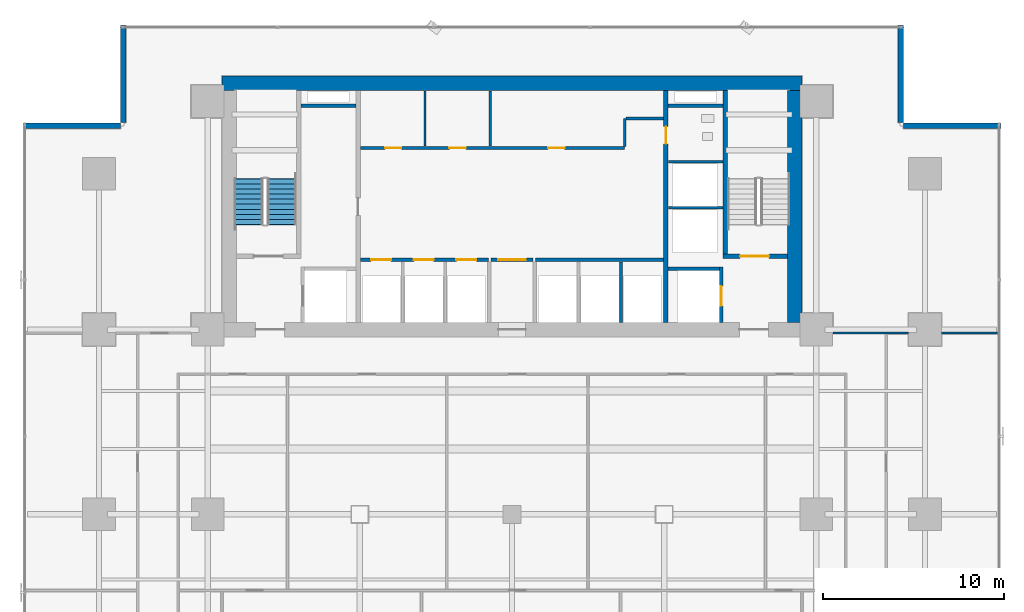
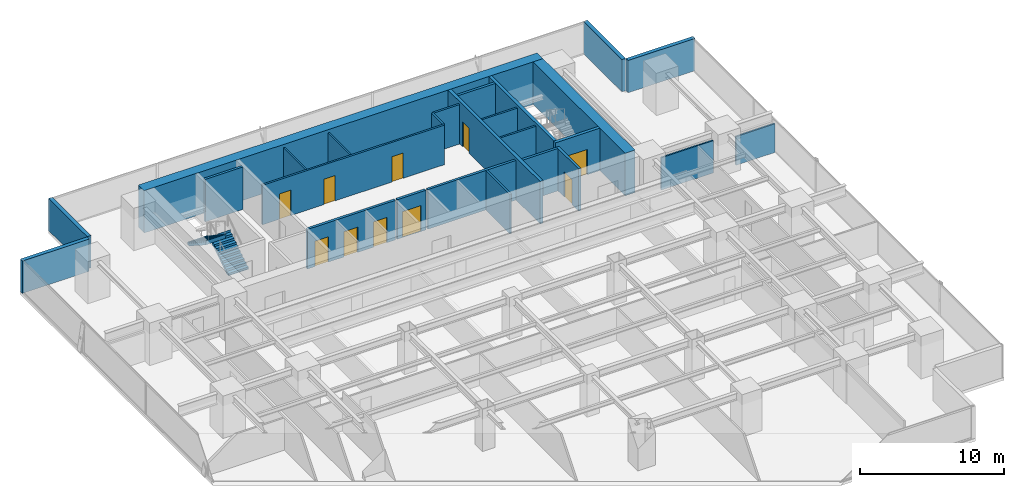
# One storey, part 26 of 33: 26 walls, 10 doors, 2 stair flights, 10 openings, 1 element without a shape of its own.
"""IFC4 building model written with IfcOpenShell, lengths in metres."""

from ifc_helpers import new_model, si_unit, direction, frame, frame_2d, origin, place, context, subcontext, project, spatial, polyline, rectangle, outline, extrude, source, transform, mapped, material, layer, layer_set, type_object, element, fill, aggregate, save


model = new_model("IFC4")

# Units and contexts
model_context = context("Model", 3, precision=1e-05, world=origin(), true_north=direction((0.0, 1.0)))
body_context = subcontext(model_context, "Body", "Model", "MODEL_VIEW")
ifc_project = project(units=[si_unit("LENGTHUNIT", "METRE"), si_unit("AREAUNIT", "SQUARE_METRE"), si_unit("VOLUMEUNIT", "CUBIC_METRE"), si_unit("PLANEANGLEUNIT", "RADIAN"), si_unit("MASSUNIT", "GRAM", prefix="KILO")], contexts=[model_context])

# Site, building, storey
site_placement = place(None, origin())
site = spatial("IfcSite", under=ifc_project, at=site_placement, CompositionType="ELEMENT")
building_placement = place(site_placement, origin())
building = spatial("IfcBuilding", under=site, at=building_placement, Name="Sumidabori Civic Tower", CompositionType="ELEMENT")
storey_placement = place(building_placement, frame((0.0, 0.0, 30.800048828125)))
storey = spatial("IfcBuildingStorey", under=building, at=storey_placement, Name="L07", CompositionType="ELEMENT", Elevation=30.800048828125)

# Walls
ifc_material_1 = material(Name="Concrete C60/75", Category="concrete")
ifc_layer_1 = layer(ifc_material_1, 0.800048828125, Name="Concrete C60/75")
ifc_layer_set_1 = layer_set([ifc_layer_1], Name="Concrete C60/75")
wall_type_1 = type_object("IfcWallType", Name="WL-CORE-800", PredefinedType="SHEAR", material=ifc_layer_set_1)
shared_shape_1 = source(origin(), body_context, "Body", "SweptSolid", [
    extrude(rectangle(XDim=32.0, YDim=0.800048828125, at=frame_2d((16.0, 0.0))), origin(), (0.0, 0.0, 1.0), 3.599853515625),
])
wall_1_placement = place(storey_placement, frame((-16.0, 23.800048828125, 0.0), z_axis=(0.0, 0.0, 1.0), x_axis=(1.0, 0.0, 0.0)))
element("IfcWall", 1, at=wall_1_placement, inside=storey, type_object=wall_type_1, Name="Core Shear Wall L07 N", PredefinedType="SHEAR", context=body_context, shape_type="MappedRepresentation", body=[
    mapped(shared_shape_1, transform((0.0, 0.0, 0.0), x_axis=(1.0, 0.0, 0.0), y_axis=(0.0, 1.0, 0.0), z_axis=(0.0, 0.0, 1.0), scale=1.0)),
])
shared_shape_2 = source(origin(), body_context, "Body", "SweptSolid", [
    extrude(rectangle(XDim=12.7998046875, YDim=0.800048828125, at=frame_2d((6.39990234375, 0.0))), origin(), (0.0, 0.0, 1.0), 3.599853515625),
])
wall_2_placement = place(storey_placement, frame((15.60009765625, 10.60009765625, 0.0), z_axis=(0.0, 0.0, 1.0), x_axis=(0.0, 1.0, 0.0)))
element("IfcWall", 2, at=wall_2_placement, inside=storey, type_object=wall_type_1, Name="Core Shear Wall L07 E", PredefinedType="SHEAR", context=body_context, shape_type="MappedRepresentation", body=[
    mapped(shared_shape_2, transform((0.0, 0.0, 0.0), x_axis=(1.0, 0.0, 0.0), y_axis=(0.0, 1.0, 0.0), z_axis=(0.0, 0.0, 1.0), scale=1.0)),
])

# Wall, opening, door
ifc_material_2 = material(Name="Concrete C50/60", Category="concrete")
ifc_layer_2 = layer(ifc_material_2, 0.25, Name="Concrete C50/60")
ifc_layer_set_2 = layer_set([ifc_layer_2], Name="Concrete C50/60")
wall_type_2 = type_object("IfcWallType", Name="WL-SHAFT-250", PredefinedType="SHEAR", material=ifc_layer_set_2)
shared_shape_3 = source(origin(), body_context, "Body", "SweptSolid", [
    extrude(rectangle(XDim=12.7998046875, YDim=0.25, at=frame_2d((6.39990234375, 0.0))), origin(), (0.0, 0.0, 1.0), 3.599853515625),
])
wall_3_placement = place(storey_placement, frame((8.5, 10.60009765625, 0.0), z_axis=(0.0, 0.0, 1.0), x_axis=(0.0, 1.0, 0.0)))
wall_3 = element("IfcWall", 3, at=wall_3_placement, inside=storey, type_object=wall_type_2, Name="Core Shear Wall L07 WEB-E", PredefinedType="SHEAR", context=body_context, shape_type="MappedRepresentation", body=[
    mapped(shared_shape_3, transform((0.0, 0.0, 0.0), x_axis=(1.0, 0.0, 0.0), y_axis=(0.0, 1.0, 0.0), z_axis=(0.0, 0.0, 1.0), scale=1.0)),
])
opening_1_placement = place(wall_3_placement, frame((9.85009765625, 0.0, 0.0)))
opening_1 = element("IfcOpeningElement", 4, at=opening_1_placement, cuts=wall_3, Name="Opening DR-2", PredefinedType="OPENING", context=body_context, shape_type="SweptSolid", body=[
    extrude(rectangle(XDim=0.949951171875, YDim=2.14990234375, at=frame_2d((0.47509765625, 1.074951171875))), frame((0.0, 0.136962890625, 0.0), z_axis=(0.0, -1.0, 0.0), x_axis=(1.0, 0.0, 0.0)), (0.0, 0.0, 1.0), 0.27392578125),
])
ifc_material_3 = material(Name="Japanese Hinoki Timber", Category="wood")
door_type_1 = type_object("IfcDoorType", Name="DR-INT-950", OperationType="NOTDEFINED", PredefinedType="DOOR", material=ifc_material_3)
shared_shape_4 = source(origin(), body_context, "Body", "SweptSolid", [
    extrude(rectangle(XDim=0.949951171875, YDim=2.14990234375, at=frame_2d((0.47509765625, 1.074951171875))), frame((0.0, 0.02490234375, 0.0), z_axis=(0.0, -1.0, 0.0), x_axis=(1.0, 0.0, 0.0)), (0.0, 0.0, 1.0), 0.050048828125),
])
door_1_placement = place(opening_1_placement, origin())
door_1 = element("IfcDoor", 5, at=door_1_placement, inside=storey, type_object=door_type_1, Name="Door DR:L07:WC-ACC", OperationType="SINGLE_SWING_RIGHT", OverallHeight=2.14990234375, OverallWidth=0.949951171875, PredefinedType="DOOR", context=body_context, shape_type="MappedRepresentation", body=[
    mapped(shared_shape_4, transform((0.0, 0.0, 0.0), x_axis=(1.0, 0.0, 0.0), y_axis=(0.0, 1.0, 0.0), z_axis=(0.0, 0.0, 1.0), scale=1.0)),
])
fill(opening_1, door_1)

shared_shape_5 = source(origin(), body_context, "Body", "SweptSolid", [
    extrude(rectangle(XDim=3.554931640625, YDim=0.25, at=frame_2d((1.77734375, 0.0))), origin(), (0.0, 0.0, 1.0), 3.599853515625),
])
wall_4_placement = place(storey_placement, frame((11.64501953125, 14.25, 0.0), z_axis=(0.0, 0.0, 1.0), x_axis=(1.0, 0.0, 0.0)))
wall_4 = element("IfcWall", 6, at=wall_4_placement, inside=storey, type_object=wall_type_2, Name="Core Shear Wall L07 ST2-S", PredefinedType="SHEAR", context=body_context, shape_type="MappedRepresentation", body=[
    mapped(shared_shape_5, transform((0.0, 0.0, 0.0), x_axis=(1.0, 0.0, 0.0), y_axis=(0.0, 1.0, 0.0), z_axis=(0.0, 0.0, 1.0), scale=1.0)),
])
opening_2_placement = place(wall_4_placement, frame((0.949951171875, 0.0, 0.0)))
opening_2 = element("IfcOpeningElement", 7, at=opening_2_placement, cuts=wall_4, Name="Opening DR-FD4", PredefinedType="OPENING", context=body_context, shape_type="SweptSolid", body=[
    extrude(rectangle(XDim=1.60009765625, YDim=2.14990234375, at=frame_2d((0.800048828125, 1.074951171875))), frame((0.0, 0.136962890625, 0.0), z_axis=(0.0, -1.0, 0.0), x_axis=(1.0, 0.0, 0.0)), (0.0, 0.0, 1.0), 0.27392578125),
])
ifc_material_4 = material(Name="Steel SN490", Category="steel")
door_type_2 = type_object("IfcDoorType", Name="DR-FD4", OperationType="DOUBLE_DOOR_SINGLE_SWING", PredefinedType="DOOR", material=ifc_material_4)
shared_shape_6 = source(origin(), body_context, "Body", "SweptSolid", [
    extrude(rectangle(XDim=1.60009765625, YDim=2.14990234375, at=frame_2d((0.800048828125, 1.074951171875))), frame((0.0, 0.02490234375, 0.0), z_axis=(0.0, -1.0, 0.0), x_axis=(1.0, 0.0, 0.0)), (0.0, 0.0, 1.0), 0.050048828125),
])
door_2_placement = place(opening_2_placement, origin())
door_2 = element("IfcDoor", 8, at=door_2_placement, inside=storey, type_object=door_type_2, Name="Door DR:L07:ST2", OperationType="DOUBLE_DOOR_SINGLE_SWING", OverallHeight=2.14990234375, OverallWidth=1.60009765625, PredefinedType="DOOR", context=body_context, shape_type="MappedRepresentation", body=[
    mapped(shared_shape_6, transform((0.0, 0.0, 0.0), x_axis=(1.0, 0.0, 0.0), y_axis=(0.0, 1.0, 0.0), z_axis=(0.0, 0.0, 1.0), scale=1.0)),
])
fill(opening_2, door_2)

# Wall
shared_shape_7 = source(origin(), body_context, "Body", "SweptSolid", [
    extrude(rectangle(XDim=9.02490234375, YDim=0.25, at=frame_2d((4.512451171875, 0.0))), origin(), (0.0, 0.0, 1.0), 3.599853515625),
])
wall_5_placement = place(storey_placement, frame((11.77001953125, 14.375, 0.0), z_axis=(0.0, 0.0, 1.0), x_axis=(0.0, 1.0, 0.0)))
element("IfcWall", 9, at=wall_5_placement, inside=storey, type_object=wall_type_2, Name="Core Shear Wall L07 ST2-W", PredefinedType="SHEAR", context=body_context, shape_type="MappedRepresentation", body=[
    mapped(shared_shape_7, transform((0.0, 0.0, 0.0), x_axis=(1.0, 0.0, 0.0), y_axis=(0.0, 1.0, 0.0), z_axis=(0.0, 0.0, 1.0), scale=1.0)),
])

# Wall, opening, door
ifc_layer_3 = layer(ifc_material_2, 0.199951171875, Name="Concrete C50/60")
ifc_layer_set_3 = layer_set([ifc_layer_3], Name="Concrete C50/60")
wall_type_3 = type_object("IfcWallType", Name="WL-SHAFT-200", PredefinedType="SHEAR", material=ifc_layer_set_3)
shared_shape_8 = source(origin(), body_context, "Body", "SweptSolid", [
    extrude(rectangle(XDim=3.0498046875, YDim=0.199951171875, at=frame_2d((1.52490234375, 0.0))), origin(), (0.0, 0.0, 1.0), 3.599853515625),
])
wall_6_placement = place(storey_placement, frame((11.550048828125, 10.60009765625, 0.0), z_axis=(0.0, 0.0, 1.0), x_axis=(0.0, 1.0, 0.0)))
wall_6 = element("IfcWall", 10, at=wall_6_placement, inside=storey, type_object=wall_type_3, Name="Core Shear Wall L07 EL2-E", PredefinedType="SHEAR", context=body_context, shape_type="MappedRepresentation", body=[
    mapped(shared_shape_8, transform((0.0, 0.0, 0.0), x_axis=(1.0, 0.0, 0.0), y_axis=(0.0, 1.0, 0.0), z_axis=(0.0, 0.0, 1.0), scale=1.0)),
])
opening_3_placement = place(wall_6_placement, frame((0.89990234375, 0.0, 0.0)))
opening_3 = element("IfcOpeningElement", 11, at=opening_3_placement, cuts=wall_6, Name="Opening LD-2", PredefinedType="OPENING", context=body_context, shape_type="SweptSolid", body=[
    extrude(rectangle(XDim=1.10009765625, YDim=2.14990234375, at=frame_2d((0.550048828125, 1.074951171875))), frame((0.0, 0.11181640625, 0.0), z_axis=(0.0, -1.0, 0.0), x_axis=(1.0, 0.0, 0.0)), (0.0, 0.0, 1.0), 0.223876953125),
])
ifc_material_5 = material(Name="Stainless Steel Hairline Finish", Category="steel")
door_type_3 = type_object("IfcDoorType", Name="DR-LD2", OperationType="DOUBLE_DOOR_SLIDING", PredefinedType="DOOR", material=ifc_material_5)
shared_shape_9 = source(origin(), body_context, "Body", "SweptSolid", [
    extrude(rectangle(XDim=1.10009765625, YDim=2.14990234375, at=frame_2d((0.550048828125, 1.074951171875))), frame((0.0, 0.02490234375, 0.0), z_axis=(0.0, -1.0, 0.0), x_axis=(1.0, 0.0, 0.0)), (0.0, 0.0, 1.0), 0.050048828125),
])
door_3_placement = place(opening_3_placement, origin())
door_3 = element("IfcDoor", 12, at=door_3_placement, inside=storey, type_object=door_type_3, Name="Door DR:L07:LD-EL2", OperationType="DOUBLE_DOOR_SLIDING", OverallHeight=2.14990234375, OverallWidth=1.10009765625, PredefinedType="DOOR", context=body_context, shape_type="MappedRepresentation", body=[
    mapped(shared_shape_9, transform((0.0, 0.0, 0.0), x_axis=(1.0, 0.0, 0.0), y_axis=(0.0, 1.0, 0.0), z_axis=(0.0, 0.0, 1.0), scale=1.0)),
])
fill(opening_3, door_3)

# Walls
shared_shape_10 = source(origin(), body_context, "Body", "SweptSolid", [
    extrude(rectangle(XDim=2.824951171875, YDim=0.199951171875, at=frame_2d((1.41259765625, 0.0))), origin(), (0.0, 0.0, 1.0), 3.599853515625),
])
wall_7_placement = place(storey_placement, frame((8.625, 13.550048828125, 0.0), z_axis=(0.0, 0.0, 1.0), x_axis=(1.0, 0.0, 0.0)))
element("IfcWall", 13, at=wall_7_placement, inside=storey, type_object=wall_type_3, Name="Core Shear Wall L07 EL2-N", PredefinedType="SHEAR", context=body_context, shape_type="MappedRepresentation", body=[
    mapped(shared_shape_10, transform((0.0, 0.0, 0.0), x_axis=(1.0, 0.0, 0.0), y_axis=(0.0, 1.0, 0.0), z_axis=(0.0, 0.0, 1.0), scale=1.0)),
])
shared_shape_11 = source(origin(), body_context, "Body", "SweptSolid", [
    extrude(rectangle(XDim=3.02001953125, YDim=0.199951171875, at=frame_2d((1.510009765625, 0.0))), origin(), (0.0, 0.0, 1.0), 3.599853515625),
])
for number, where, z_axis, x_axis, name in (
    (14, (-11.64501953125, 22.550048828125, 0.0), (0.0, 0.0, 1.0), (1.0, 0.0, 0.0), "Core Shear Wall L07 RIS1-S"),
    (15, (8.625, 22.550048828125, 0.0), (0.0, 0.0, 1.0), (1.0, 0.0, 0.0), "Core Shear Wall L07 RIS2-S"),
):
    element("IfcWall", number, at=place(storey_placement, frame(where, z_axis=z_axis, x_axis=x_axis)), inside=storey, type_object=wall_type_3, Name=name, PredefinedType="SHEAR", context=body_context, shape_type="MappedRepresentation", body=[
        mapped(shared_shape_11, transform((0.0, 0.0, 0.0), x_axis=(1.0, 0.0, 0.0), y_axis=(0.0, 1.0, 0.0), z_axis=(0.0, 0.0, 1.0), scale=1.0)),
    ])
ifc_material_6 = material(Name="Precast concrete C40/50", Category="concrete")
ifc_layer_4 = layer(ifc_material_6, 0.300048828125, Name="Precast concrete C40/50")
ifc_layer_set_4 = layer_set([ifc_layer_4], Name="Precast concrete C40/50")
wall_type_4 = type_object("IfcWallType", Name="WL-EXT-POD300", PredefinedType="STANDARD", material=ifc_layer_set_4)
shared_shape_12 = source(origin(), body_context, "Body", "SweptSolid", [
    extrude(rectangle(XDim=5.35986328125, YDim=0.300048828125, at=frame_2d((2.679931640625, 0.0))), origin(), (0.0, 0.0, 1.0), 2.739990234375),
])
for number, where, z_axis, x_axis, name in (
    (16, (26.97998046875, 21.449951171875, 0.0), (0.0, 0.0, 1.0), (-1.0, 0.0, 0.0), "Notched Corner Spandrel Band L07-05"),
    (17, (21.449951171875, 21.6201171875, 0.0), (0.0, 0.0, 1.0), (0.0, 1.0, 0.0), "Notched Corner Spandrel Band L07-06"),
    (18, (-21.449951171875, 26.97998046875, 0.0), (0.0, 0.0, 1.0), (0.0, -1.0, 0.0), "Notched Corner Spandrel Band L07-08"),
    (19, (-21.6201171875, 21.449951171875, 0.0), (0.0, 0.0, 1.0), (-1.0, 0.0, 0.0), "Notched Corner Spandrel Band L07-09"),
):
    element("IfcWall", number, at=place(storey_placement, frame(where, z_axis=z_axis, x_axis=x_axis)), inside=storey, type_object=wall_type_4, Name=name, PredefinedType="STANDARD", context=body_context, shape_type="MappedRepresentation", body=[
        mapped(shared_shape_12, transform((0.0, 0.0, 0.0), x_axis=(1.0, 0.0, 0.0), y_axis=(0.0, 1.0, 0.0), z_axis=(0.0, 0.0, 1.0), scale=1.0)),
    ])
ifc_material_7 = material(Name="Gypsum Plasterboard Acoustic Partition")
ifc_layer_5 = layer(ifc_material_7, 0.14990234375, Name="Gypsum Plasterboard Acoustic Partition")
ifc_layer_set_5 = layer_set([ifc_layer_5], Name="Gypsum Plasterboard Acoustic Partition")
wall_type_5 = type_object("IfcWallType", Name="WL-PART-150", PredefinedType="PARTITIONING", material=ifc_layer_set_5)
shared_shape_13 = source(origin(), body_context, "Body", "SweptSolid", [
    extrude(rectangle(XDim=3.010009765625, YDim=0.14990234375, at=frame_2d((1.5048828125, 0.0))), origin(), (0.0, 0.0, 1.0), 3.35986328125),
])
for number, where, z_axis, x_axis, name in (
    (20, (8.6298828125, 16.919921875, 0.0), (0.0, 0.0, 1.0), (1.0, 0.0, 0.0), "Interior Partition WL:L07:DIV-OBS1"),
    (21, (8.6298828125, 19.469970703125, 0.0), (0.0, 0.0, 1.0), (1.0, 0.0, 0.0), "Interior Partition WL:L07:DIV-OBS2"),
):
    element("IfcWall", number, at=place(storey_placement, frame(where, z_axis=z_axis, x_axis=x_axis)), inside=storey, type_object=wall_type_5, Name=name, PredefinedType="PARTITIONING", context=body_context, shape_type="MappedRepresentation", body=[
        mapped(shared_shape_13, transform((0.0, 0.0, 0.0), x_axis=(1.0, 0.0, 0.0), y_axis=(0.0, 1.0, 0.0), z_axis=(0.0, 0.0, 1.0), scale=1.0)),
    ])

# Wall, openings, doors
ifc_material_8 = material(Name="Gypsum Plasterboard Fire Partition")
ifc_layer_6 = layer(ifc_material_8, 0.199951171875, Name="Gypsum Plasterboard Fire Partition")
ifc_layer_set_6 = layer_set([ifc_layer_6], Name="Gypsum Plasterboard Fire Partition")
wall_type_6 = type_object("IfcWallType", Name="WL-PART-FIRE", PredefinedType="PARTITIONING", material=ifc_layer_set_6)
shared_shape_14 = source(origin(), body_context, "Body", "SweptSolid", [
    extrude(rectangle(XDim=7.070068359375, YDim=0.199951171875, at=frame_2d((3.53515625, 0.0))), origin(), (0.0, 0.0, 1.0), 3.35986328125),
])
wall_8_placement = place(storey_placement, frame((-8.3701171875, 14.050048828125, 0.0), z_axis=(0.0, 0.0, 1.0), x_axis=(1.0, 0.0, 0.0)))
wall_8 = element("IfcWall", 22, at=wall_8_placement, inside=storey, type_object=wall_type_6, Name="Interior Partition WL:L07:CBAND-SW", PredefinedType="PARTITIONING", context=body_context, shape_type="MappedRepresentation", body=[
    mapped(shared_shape_14, transform((0.0, 0.0, 0.0), x_axis=(1.0, 0.0, 0.0), y_axis=(0.0, 1.0, 0.0), z_axis=(0.0, 0.0, 1.0), scale=1.0)),
])
opening_4_placement = place(wall_8_placement, frame((0.60009765625, 0.0, 0.0)))
opening_4 = element("IfcOpeningElement", 23, at=opening_4_placement, cuts=wall_8, Name="Opening LD-1", PredefinedType="OPENING", context=body_context, shape_type="SweptSolid", body=[
    extrude(rectangle(XDim=1.10009765625, YDim=2.14990234375, at=frame_2d((0.550048828125, 1.074951171875))), frame((0.0, 0.11181640625, 0.0), z_axis=(0.0, -1.0, 0.0), x_axis=(1.0, 0.0, 0.0)), (0.0, 0.0, 1.0), 0.223876953125),
])
opening_5_placement = place(wall_8_placement, frame((2.949951171875, 0.0, 0.0)))
opening_5 = element("IfcOpeningElement", 24, at=opening_5_placement, cuts=wall_8, Name="Opening LD-1", PredefinedType="OPENING", context=body_context, shape_type="SweptSolid", body=[
    extrude(rectangle(XDim=1.10009765625, YDim=2.14990234375, at=frame_2d((0.550048828125, 1.074951171875))), frame((0.0, 0.11181640625, 0.0), z_axis=(0.0, -1.0, 0.0), x_axis=(1.0, 0.0, 0.0)), (0.0, 0.0, 1.0), 0.223876953125),
])
opening_6_placement = place(wall_8_placement, frame((5.300048828125, 0.0, 0.0)))
opening_6 = element("IfcOpeningElement", 25, at=opening_6_placement, cuts=wall_8, Name="Opening LD-1", PredefinedType="OPENING", context=body_context, shape_type="SweptSolid", body=[
    extrude(rectangle(XDim=1.10009765625, YDim=2.14990234375, at=frame_2d((0.550048828125, 1.074951171875))), frame((0.0, 0.11181640625, 0.0), z_axis=(0.0, -1.0, 0.0), x_axis=(1.0, 0.0, 0.0)), (0.0, 0.0, 1.0), 0.223876953125),
])
door_type_4 = type_object("IfcDoorType", Name="DR-LD1", OperationType="DOUBLE_DOOR_SLIDING", PredefinedType="DOOR", material=ifc_material_5)
door_4_placement = place(opening_4_placement, origin())
door_4 = element("IfcDoor", 26, at=door_4_placement, inside=storey, type_object=door_type_4, Name="Door DR:L07:LD-PLL1", OperationType="DOUBLE_DOOR_SLIDING", OverallHeight=2.14990234375, OverallWidth=1.10009765625, PredefinedType="DOOR", context=body_context, shape_type="MappedRepresentation", body=[
    mapped(shared_shape_9, transform((0.0, 0.0, 0.0), x_axis=(1.0, 0.0, 0.0), y_axis=(0.0, 1.0, 0.0), z_axis=(0.0, 0.0, 1.0), scale=1.0)),
])
fill(opening_4, door_4)
door_5_placement = place(opening_5_placement, origin())
door_5 = element("IfcDoor", 27, at=door_5_placement, inside=storey, type_object=door_type_4, Name="Door DR:L07:LD-PLL2", OperationType="DOUBLE_DOOR_SLIDING", OverallHeight=2.14990234375, OverallWidth=1.10009765625, PredefinedType="DOOR", context=body_context, shape_type="MappedRepresentation", body=[
    mapped(shared_shape_9, transform((0.0, 0.0, 0.0), x_axis=(1.0, 0.0, 0.0), y_axis=(0.0, 1.0, 0.0), z_axis=(0.0, 0.0, 1.0), scale=1.0)),
])
fill(opening_5, door_5)
door_6_placement = place(opening_6_placement, origin())
door_6 = element("IfcDoor", 28, at=door_6_placement, inside=storey, type_object=door_type_4, Name="Door DR:L07:LD-PLL3", OperationType="DOUBLE_DOOR_SLIDING", OverallHeight=2.14990234375, OverallWidth=1.10009765625, PredefinedType="DOOR", context=body_context, shape_type="MappedRepresentation", body=[
    mapped(shared_shape_9, transform((0.0, 0.0, 0.0), x_axis=(1.0, 0.0, 0.0), y_axis=(0.0, 1.0, 0.0), z_axis=(0.0, 0.0, 1.0), scale=1.0)),
])
fill(opening_6, door_6)

# Wall
wall_9_placement = place(storey_placement, frame((1.300048828125, 14.050048828125, 0.0), z_axis=(0.0, 0.0, 1.0), x_axis=(1.0, 0.0, 0.0)))
element("IfcWall", 29, at=wall_9_placement, inside=storey, type_object=wall_type_6, Name="Interior Partition WL:L07:CBAND-SE", PredefinedType="PARTITIONING", context=body_context, shape_type="MappedRepresentation", body=[
    mapped(shared_shape_14, transform((0.0, 0.0, 0.0), x_axis=(1.0, 0.0, 0.0), y_axis=(0.0, 1.0, 0.0), z_axis=(0.0, 0.0, 1.0), scale=1.0)),
])

# Wall, opening, door
shared_shape_15 = source(origin(), body_context, "Body", "SweptSolid", [
    extrude(rectangle(XDim=2.2998046875, YDim=0.199951171875, at=frame_2d((1.14990234375, 0.0))), origin(), (0.0, 0.0, 1.0), 3.35986328125),
])
wall_10_placement = place(storey_placement, frame((-1.14990234375, 14.050048828125, 0.0), z_axis=(0.0, 0.0, 1.0), x_axis=(1.0, 0.0, 0.0)))
wall_10 = element("IfcWall", 30, at=wall_10_placement, inside=storey, type_object=wall_type_6, Name="Interior Partition WL:L07:THROAT-N", PredefinedType="PARTITIONING", context=body_context, shape_type="MappedRepresentation", body=[
    mapped(shared_shape_15, transform((0.0, 0.0, 0.0), x_axis=(1.0, 0.0, 0.0), y_axis=(0.0, 1.0, 0.0), z_axis=(0.0, 0.0, 1.0), scale=1.0)),
])
opening_7_placement = place(wall_10_placement, frame((0.39990234375, 0.0, 0.0)))
opening_7 = element("IfcOpeningElement", 31, at=opening_7_placement, cuts=wall_10, Name="Opening DR-FD3", PredefinedType="OPENING", context=body_context, shape_type="SweptSolid", body=[
    extrude(rectangle(XDim=1.5, YDim=2.199951171875, at=frame_2d((0.75, 1.10009765625))), frame((0.0, 0.11181640625, 0.0), z_axis=(0.0, -1.0, 0.0), x_axis=(1.0, 0.0, 0.0)), (0.0, 0.0, 1.0), 0.223876953125),
])
door_type_5 = type_object("IfcDoorType", Name="DR-FD-DBL", OperationType="DOUBLE_DOOR_SINGLE_SWING", PredefinedType="DOOR", material=ifc_material_4)
shared_shape_16 = source(origin(), body_context, "Body", "SweptSolid", [
    extrude(rectangle(XDim=1.5, YDim=2.199951171875, at=frame_2d((0.75, 1.10009765625))), frame((0.0, 0.02490234375, 0.0), z_axis=(0.0, -1.0, 0.0), x_axis=(1.0, 0.0, 0.0)), (0.0, 0.0, 1.0), 0.050048828125),
])
door_7_placement = place(opening_7_placement, origin())
door_7 = element("IfcDoor", 32, at=door_7_placement, inside=storey, type_object=door_type_5, Name="Door DR:L07:THROAT-IN", OperationType="DOUBLE_DOOR_SINGLE_SWING", OverallHeight=2.199951171875, OverallWidth=1.5, PredefinedType="DOOR", context=body_context, shape_type="MappedRepresentation", body=[
    mapped(shared_shape_16, transform((0.0, 0.0, 0.0), x_axis=(1.0, 0.0, 0.0), y_axis=(0.0, 1.0, 0.0), z_axis=(0.0, 0.0, 1.0), scale=1.0)),
])
fill(opening_7, door_7)

# Wall, openings, doors
shared_shape_17 = source(origin(), body_context, "Body", "SweptSolid", [
    extrude(rectangle(XDim=14.590087890625, YDim=0.14990234375, at=frame_2d((7.294921875, 0.0))), origin(), (0.0, 0.0, 1.0), 3.35986328125),
])
wall_11_placement = place(storey_placement, frame((-8.3701171875, 20.219970703125, 0.0), z_axis=(0.0, 0.0, 1.0), x_axis=(1.0, 0.0, 0.0)))
wall_11 = element("IfcWall", 33, at=wall_11_placement, inside=storey, type_object=wall_type_5, Name="Interior Partition WL:L07:CBAND-M", PredefinedType="PARTITIONING", context=body_context, shape_type="MappedRepresentation", body=[
    mapped(shared_shape_17, transform((0.0, 0.0, 0.0), x_axis=(1.0, 0.0, 0.0), y_axis=(0.0, 1.0, 0.0), z_axis=(0.0, 0.0, 1.0), scale=1.0)),
])
opening_8_placement = place(wall_11_placement, frame((1.360107421875, 0.0, 0.0)))
opening_8 = element("IfcOpeningElement", 34, at=opening_8_placement, cuts=wall_11, Name="Opening DR-1", PredefinedType="OPENING", context=body_context, shape_type="SweptSolid", body=[
    extrude(rectangle(XDim=0.89990234375, YDim=2.14990234375, at=frame_2d((0.449951171875, 1.074951171875))), frame((0.0, 0.0869140625, 0.0), z_axis=(0.0, -1.0, 0.0), x_axis=(1.0, 0.0, 0.0)), (0.0, 0.0, 1.0), 0.173828125),
])
opening_9_placement = place(wall_11_placement, frame((4.919921875, 0.0, 0.0)))
opening_9 = element("IfcOpeningElement", 35, at=opening_9_placement, cuts=wall_11, Name="Opening DR-1", PredefinedType="OPENING", context=body_context, shape_type="SweptSolid", body=[
    extrude(rectangle(XDim=0.89990234375, YDim=2.14990234375, at=frame_2d((0.449951171875, 1.074951171875))), frame((0.0, 0.0869140625, 0.0), z_axis=(0.0, -1.0, 0.0), x_axis=(1.0, 0.0, 0.0)), (0.0, 0.0, 1.0), 0.173828125),
])
opening_10_placement = place(wall_11_placement, frame((10.3701171875, 0.0, 0.0)))
opening_10 = element("IfcOpeningElement", 36, at=opening_10_placement, cuts=wall_11, Name="Opening DR-1", PredefinedType="OPENING", context=body_context, shape_type="SweptSolid", body=[
    extrude(rectangle(XDim=0.89990234375, YDim=2.14990234375, at=frame_2d((0.449951171875, 1.074951171875))), frame((0.0, 0.0869140625, 0.0), z_axis=(0.0, -1.0, 0.0), x_axis=(1.0, 0.0, 0.0)), (0.0, 0.0, 1.0), 0.173828125),
])
door_type_6 = type_object("IfcDoorType", Name="DR-INT-900", OperationType="NOTDEFINED", PredefinedType="DOOR", material=ifc_material_3)
shared_shape_18 = source(origin(), body_context, "Body", "SweptSolid", [
    extrude(rectangle(XDim=0.89990234375, YDim=2.14990234375, at=frame_2d((0.449951171875, 1.074951171875))), frame((0.0, 0.02490234375, 0.0), z_axis=(0.0, -1.0, 0.0), x_axis=(1.0, 0.0, 0.0)), (0.0, 0.0, 1.0), 0.050048828125),
])
door_8_placement = place(opening_8_placement, origin())
door_8 = element("IfcDoor", 37, at=door_8_placement, inside=storey, type_object=door_type_6, Name="Door DR:L07:CB-1", OperationType="SINGLE_SWING_LEFT", OverallHeight=2.14990234375, OverallWidth=0.89990234375, PredefinedType="DOOR", context=body_context, shape_type="MappedRepresentation", body=[
    mapped(shared_shape_18, transform((0.0, 0.0, 0.0), x_axis=(1.0, 0.0, 0.0), y_axis=(0.0, 1.0, 0.0), z_axis=(0.0, 0.0, 1.0), scale=1.0)),
])
fill(opening_8, door_8)
door_9_placement = place(opening_9_placement, origin())
door_9 = element("IfcDoor", 38, at=door_9_placement, inside=storey, type_object=door_type_6, Name="Door DR:L07:CB-2", OperationType="SINGLE_SWING_RIGHT", OverallHeight=2.14990234375, OverallWidth=0.89990234375, PredefinedType="DOOR", context=body_context, shape_type="MappedRepresentation", body=[
    mapped(shared_shape_18, transform((0.0, 0.0, 0.0), x_axis=(1.0, 0.0, 0.0), y_axis=(0.0, 1.0, 0.0), z_axis=(0.0, 0.0, 1.0), scale=1.0)),
])
fill(opening_9, door_9)
door_10_placement = place(opening_10_placement, origin())
door_10 = element("IfcDoor", 39, at=door_10_placement, inside=storey, type_object=door_type_6, Name="Door DR:L07:CB-3", OperationType="SINGLE_SWING_LEFT", OverallHeight=2.14990234375, OverallWidth=0.89990234375, PredefinedType="DOOR", context=body_context, shape_type="MappedRepresentation", body=[
    mapped(shared_shape_18, transform((0.0, 0.0, 0.0), x_axis=(1.0, 0.0, 0.0), y_axis=(0.0, 1.0, 0.0), z_axis=(0.0, 0.0, 1.0), scale=1.0)),
])
fill(opening_10, door_10)

# Walls
shared_shape_19 = source(origin(), body_context, "Body", "SweptSolid", [
    extrude(rectangle(XDim=1.550048828125, YDim=0.14990234375, at=frame_2d((0.77490234375, 0.0))), origin(), (0.0, 0.0, 1.0), 3.35986328125),
])
wall_12_placement = place(storey_placement, frame((6.219970703125, 20.300048828125, 0.0), z_axis=(0.0, 0.0, 1.0), x_axis=(0.0, 1.0, 0.0)))
element("IfcWall", 40, at=wall_12_placement, inside=storey, type_object=wall_type_5, Name="Interior Partition WL:L07:CBAND-ME1", PredefinedType="PARTITIONING", context=body_context, shape_type="MappedRepresentation", body=[
    mapped(shared_shape_19, transform((0.0, 0.0, 0.0), x_axis=(1.0, 0.0, 0.0), y_axis=(0.0, 1.0, 0.0), z_axis=(0.0, 0.0, 1.0), scale=1.0)),
])
shared_shape_20 = source(origin(), body_context, "Body", "SweptSolid", [
    extrude(rectangle(XDim=2.070068359375, YDim=0.14990234375, at=frame_2d((1.03515625, 0.0))), origin(), (0.0, 0.0, 1.0), 3.35986328125),
])
wall_13_placement = place(storey_placement, frame((6.300048828125, 21.85009765625, 0.0), z_axis=(0.0, 0.0, 1.0), x_axis=(1.0, 0.0, 0.0)))
element("IfcWall", 41, at=wall_13_placement, inside=storey, type_object=wall_type_5, Name="Interior Partition WL:L07:CBAND-ME2", PredefinedType="PARTITIONING", context=body_context, shape_type="MappedRepresentation", body=[
    mapped(shared_shape_20, transform((0.0, 0.0, 0.0), x_axis=(1.0, 0.0, 0.0), y_axis=(0.0, 1.0, 0.0), z_axis=(0.0, 0.0, 1.0), scale=1.0)),
])
shared_shape_21 = source(origin(), body_context, "Body", "SweptSolid", [
    extrude(rectangle(XDim=3.33984375, YDim=0.14990234375, at=frame_2d((1.669921875, 0.0))), origin(), (0.0, 0.0, 1.0), 3.35986328125),
])
wall_14_placement = place(storey_placement, frame((6.02001953125, 10.60009765625, 0.0), z_axis=(0.0, 0.0, 1.0), x_axis=(0.0, 1.0, 0.0)))
element("IfcWall", 42, at=wall_14_placement, inside=storey, type_object=wall_type_5, Name="Interior Partition WL:L07:DIV-PLM2", PredefinedType="PARTITIONING", context=body_context, shape_type="MappedRepresentation", body=[
    mapped(shared_shape_21, transform((0.0, 0.0, 0.0), x_axis=(1.0, 0.0, 0.0), y_axis=(0.0, 1.0, 0.0), z_axis=(0.0, 0.0, 1.0), scale=1.0)),
])
ifc_layer_7 = layer(ifc_material_7, 0.1201171875, Name="Gypsum Plasterboard Acoustic Partition")
ifc_layer_set_7 = layer_set([ifc_layer_7], Name="Gypsum Plasterboard Acoustic Partition")
wall_type_7 = type_object("IfcWallType", Name="WL-PART-120", PredefinedType="PARTITIONING", material=ifc_layer_set_7)
shared_shape_22 = source(origin(), body_context, "Body", "SweptSolid", [
    extrude(rectangle(XDim=3.0400390625, YDim=0.1201171875, at=frame_2d((1.52001953125, 0.0))), origin(), (0.0, 0.0, 1.0), 3.35986328125),
])
for number, where, z_axis, x_axis, name in (
    (43, (-4.800048828125, 20.320068359375, 0.0), (0.0, 0.0, 1.0), (0.0, 1.0, 0.0), "Interior Partition WL:L07:LV8-S1"),
    (44, (-1.199951171875, 20.320068359375, 0.0), (0.0, 0.0, 1.0), (0.0, 1.0, 0.0), "Interior Partition WL:L07:LV8-S2"),
):
    element("IfcWall", number, at=place(storey_placement, frame(where, z_axis=z_axis, x_axis=x_axis)), inside=storey, type_object=wall_type_7, Name=name, PredefinedType="PARTITIONING", context=body_context, shape_type="MappedRepresentation", body=[
        mapped(shared_shape_22, transform((0.0, 0.0, 0.0), x_axis=(1.0, 0.0, 0.0), y_axis=(0.0, 1.0, 0.0), z_axis=(0.0, 0.0, 1.0), scale=1.0)),
    ])
shared_shape_23 = source(origin(), body_context, "Body", "SweptSolid", [
    extrude(rectangle(XDim=4.179931640625, YDim=0.1201171875, at=frame_2d((2.08984375, 0.0))), origin(), (0.0, 0.0, 1.0), 2.744873046875),
])
wall_15_placement = place(storey_placement, frame((17.7099609375, 10.0, 0.0), z_axis=(0.0, 0.0, 1.0), x_axis=(1.0, 0.0, 0.0)))
element("IfcWall", 45, at=wall_15_placement, inside=storey, type_object=wall_type_7, Name="Interior Partition WL:L07:FLK-NE-1", PredefinedType="PARTITIONING", context=body_context, shape_type="MappedRepresentation", body=[
    mapped(shared_shape_23, transform((0.0, 0.0, 0.0), x_axis=(1.0, 0.0, 0.0), y_axis=(0.0, 1.0, 0.0), z_axis=(0.0, 0.0, 1.0), scale=1.0)),
])
shared_shape_24 = source(origin(), body_context, "Body", "SweptSolid", [
    extrude(rectangle(XDim=3.14013671875, YDim=0.1201171875, at=frame_2d((1.570068359375, 0.0))), origin(), (0.0, 0.0, 1.0), 2.43505859375),
])
wall_16_placement = place(storey_placement, frame((23.7099609375, 10.0, 0.0), z_axis=(0.0, 0.0, 1.0), x_axis=(1.0, 0.0, 0.0)))
element("IfcWall", 46, at=wall_16_placement, inside=storey, type_object=wall_type_7, Name="Interior Partition WL:L07:FLK-NE-2", PredefinedType="PARTITIONING", context=body_context, shape_type="MappedRepresentation", body=[
    mapped(shared_shape_24, transform((0.0, 0.0, 0.0), x_axis=(1.0, 0.0, 0.0), y_axis=(0.0, 1.0, 0.0), z_axis=(0.0, 0.0, 1.0), scale=1.0)),
])

# Stair, stair flights
ifc_material_9 = material(Name="Concrete C40/50", Category="concrete")
stair_type = type_object("IfcStairType", Name="ST-CORE-1600", PredefinedType="HALF_TURN_STAIR", material=ifc_material_9)
stair_placement = place(storey_placement, origin())
stair = element("IfcStair", 47, at=stair_placement, inside=storey, type_object=stair_type, Name="L07 ST-1", PredefinedType="HALF_TURN_STAIR")
stair_flight_type = type_object("IfcStairFlightType", Name="SF-CORE-1600", PredefinedType="STRAIGHT", material=ifc_material_9)
shared_shape_25 = source(origin(), body_context, "Body", "SweptSolid", [
    extrude(outline(polyline([(-0.02490234375, 0.0), (-0.02490234375, 0.0400390625), (0.0, 0.0400390625), (0.0, 0.179931640625), (0.280029296875, 0.179931640625), (0.280029296875, 0.360107421875), (0.56005859375, 0.360107421875), (0.56005859375, 0.5400390625), (0.840087890625, 0.5400390625), (0.840087890625, 0.719970703125), (1.1201171875, 0.719970703125), (1.1201171875, 0.89990234375), (1.39990234375, 0.89990234375), (1.39990234375, 1.080078125), (1.679931640625, 1.080078125), (1.679931640625, 1.260009765625), (1.9599609375, 1.260009765625), (1.9599609375, 1.43994140625), (2.239990234375, 1.43994140625), (2.239990234375, 1.6201171875), (2.52001953125, 1.6201171875), (2.52001953125, 1.800048828125), (2.544921875, 1.800048828125), (2.544921875, 1.650146484375), (2.52001953125, 1.44189453125), (0.277099609375, 0.0), (-0.02490234375, 0.0)])), frame((0.0, 0.800048828125, 0.0), z_axis=(0.0, -1.0, 0.0), x_axis=(1.0, 0.0, 0.0)), (0.0, 0.0, 1.0), 1.60009765625),
])
stair_flight_1_placement = place(storey_placement, frame((-12.699951171875, 16.0, 0.0), z_axis=(0.0, 0.0, 1.0), x_axis=(0.0, 1.0, 0.0)))
stair_flight_1 = element("IfcStairFlight", 48, at=stair_flight_1_placement, type_object=stair_flight_type, Name="ST-1 flight 1", NumberOfRisers=10, NumberOfTreads=9, PredefinedType="STRAIGHT", RiserHeight=0.18, TreadLength=0.28, context=body_context, shape_type="MappedRepresentation", body=[
    mapped(shared_shape_25, transform((0.0, 0.0, 0.0), x_axis=(1.0, 0.0, 0.0), y_axis=(0.0, 1.0, 0.0), z_axis=(0.0, 0.0, 1.0), scale=1.0)),
])
stair_flight_2_placement = place(storey_placement, frame((-14.5400390625, 18.52001953125, 1.800048828125), z_axis=(0.0, 0.0, 1.0), x_axis=(0.0, -1.0, 0.0)))
stair_flight_2 = element("IfcStairFlight", 49, at=stair_flight_2_placement, type_object=stair_flight_type, Name="ST-1 flight 2", NumberOfRisers=10, NumberOfTreads=9, PredefinedType="STRAIGHT", RiserHeight=0.18, TreadLength=0.28, context=body_context, shape_type="MappedRepresentation", body=[
    mapped(shared_shape_25, transform((0.0, 0.0, 0.0), x_axis=(1.0, 0.0, 0.0), y_axis=(0.0, 1.0, 0.0), z_axis=(0.0, 0.0, 1.0), scale=1.0)),
])
aggregate(stair, [stair_flight_1, stair_flight_2])

save(model, "model.ifc")
